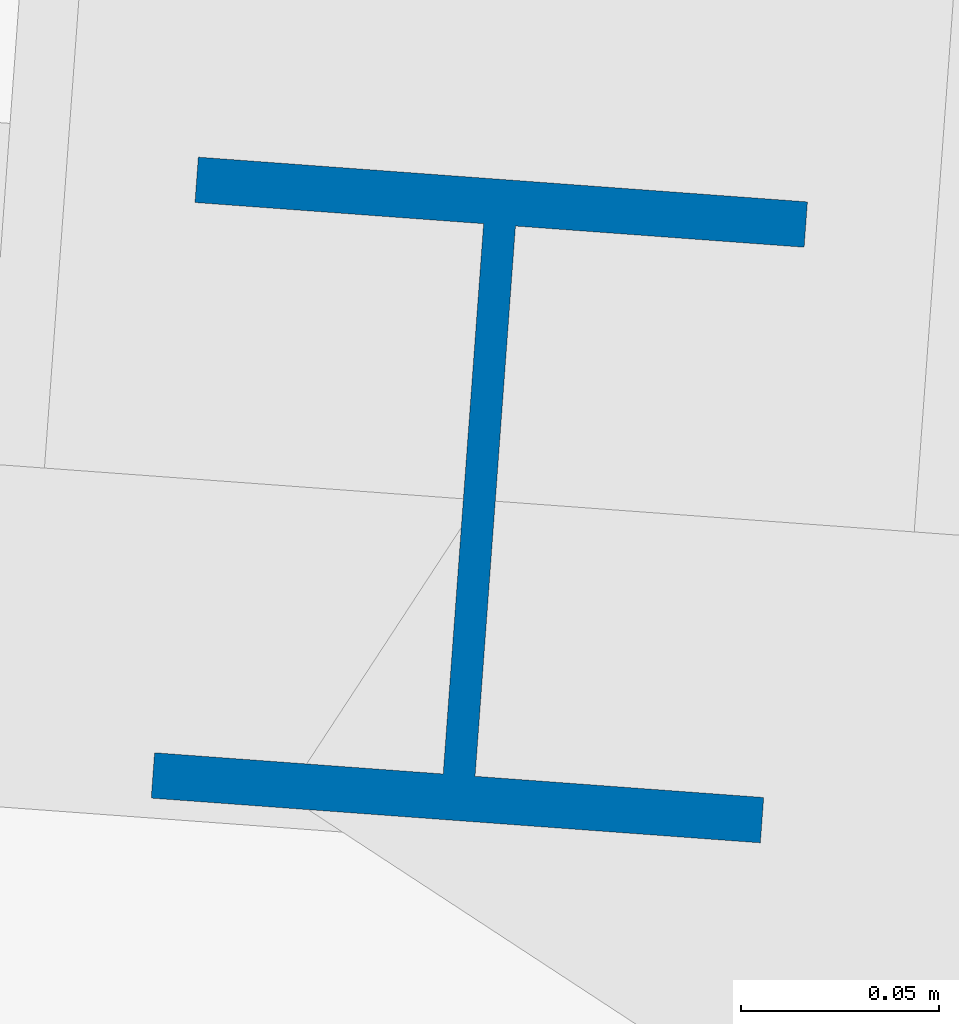
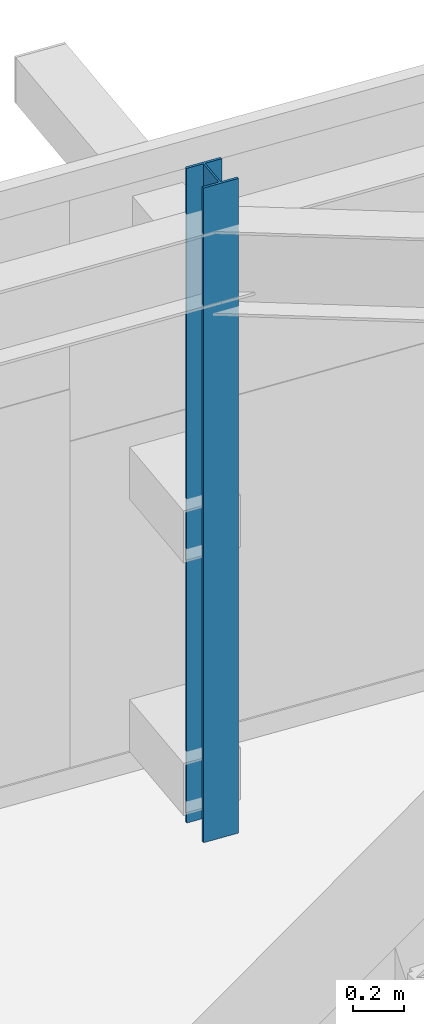
# One storey, part 8 of 34: 1 column.
"""IFC4 building model written with IfcOpenShell, lengths in metres."""

import ifcopenshell
import ifcopenshell.guid

model = None  # the IFC model being written
_history = None  # IfcOwnerHistory: only IFC2X3 demands one
_inside = {}  # id of a spatial element -> (the spatial element, [elements in it])
_under = {}  # id of a project, library or spatial element -> (it, [spatial elements below it])
_declared = {}  # id of a project -> (the project, [libraries it declares])
_typed = {}  # id of a type object -> (the type object, [elements of that type])
_made_of = {}  # id of a material, layer set ... -> (it, [elements and type objects made of it])


def new_model(schema):
    """Start an empty IFC model of exactly this schema.

    Asked for "IFC4X3", IfcOpenShell would pick the latest addendum, in which some entities
    have other attributes; the version numbers below select the first issue.
    IFC2X3 requires an IfcOwnerHistory on every rooted entity: one is made here for all.
    """
    global model, _history
    if schema == "IFC4X3":
        model = ifcopenshell.file(schema_version=(4, 3, 0, 0))
    else:
        model = ifcopenshell.file(schema=schema)
    _inside.clear()
    _under.clear()
    _declared.clear()
    _typed.clear()
    _made_of.clear()
    _history = None
    if model.schema == "IFC2X3":
        org = make("IfcOrganization", Name="unknown")
        user = make(
            "IfcPersonAndOrganization",
            ThePerson=make("IfcPerson", FamilyName="unknown"),
            TheOrganization=org,
        )
        app = make(
            "IfcApplication",
            ApplicationDeveloper=org,
            Version="unknown",
            ApplicationFullName="unknown",
            ApplicationIdentifier="unknown",
        )
        _history = make(
            "IfcOwnerHistory",
            OwningUser=user,
            OwningApplication=app,
            ChangeAction="ADDED",
            CreationDate=0,
        )
    return model


def make(cls, **values):
    """One entity of the class cls with the attributes given. An attribute that is None is left unset."""
    return model.create_entity(
        cls, **{name: value for name, value in values.items() if value is not None}
    )


def rooted(cls, **values):
    """An entity with a GlobalId (a new one), such as an element, a storey or a relation."""
    return make(cls, GlobalId=ifcopenshell.guid.new(), OwnerHistory=_history, **values)


def si_unit(unit_type, name, prefix=None):
    """IfcSIUnit, for example si_unit("LENGTHUNIT", "METRE", prefix="MILLI")."""
    return make("IfcSIUnit", UnitType=unit_type, Prefix=prefix, Name=name)


def assignment(units):
    """IfcUnitAssignment: the units of a project."""
    return None if units is None else make("IfcUnitAssignment", Units=units)


def point(xyz):
    """IfcCartesianPoint."""
    return None if xyz is None else make("IfcCartesianPoint", Coordinates=xyz)


def direction(xyz):
    """IfcDirection."""
    return None if xyz is None else make("IfcDirection", DirectionRatios=xyz)


def frame(location, z_axis=None, x_axis=None):
    """IfcAxis2Placement3D, a coordinate frame: its origin and axes. An axis left out is left unset."""
    return make(
        "IfcAxis2Placement3D",
        Location=point(location),
        Axis=direction(z_axis),
        RefDirection=direction(x_axis),
    )


def frame_2d(location, x_axis=None):
    """IfcAxis2Placement2D, a coordinate frame in the plane: its origin and x axis."""
    return make(
        "IfcAxis2Placement2D", Location=point(location), RefDirection=direction(x_axis)
    )


def origin():
    """The frame at (0, 0, 0) with its axes left unset."""
    return frame((0.0, 0.0, 0.0))


def origin_2d():
    """The frame at (0, 0) in the plane with its x axis left unset."""
    return frame_2d((0.0, 0.0))


def place(relative_to, where):
    """IfcLocalPlacement: puts the frame where relative to a parent placement (None: the world)."""
    return make(
        "IfcLocalPlacement", PlacementRelTo=relative_to, RelativePlacement=where
    )


def context(
    kind, dimensions, precision=None, world=None, true_north=None, identifier=None
):
    """IfcGeometricRepresentationContext, for example the 3D "Model" context."""
    return make(
        "IfcGeometricRepresentationContext",
        ContextIdentifier=identifier,
        ContextType=kind,
        CoordinateSpaceDimension=dimensions,
        Precision=precision,
        WorldCoordinateSystem=world,
        TrueNorth=true_north,
    )


def subcontext(parent, identifier, kind, view, scale=None):
    """IfcGeometricRepresentationSubContext, for example "Body" below "Model"."""
    return make(
        "IfcGeometricRepresentationSubContext",
        ContextIdentifier=identifier,
        ContextType=kind,
        ParentContext=parent,
        TargetScale=scale,
        TargetView=view,
    )


def project(units=None, contexts=None):
    """IfcProject with its units and contexts."""
    return rooted(
        "IfcProject",
        Name="project",
        RepresentationContexts=contexts,
        UnitsInContext=assignment(units),
    )


def spatial(cls, under=None, at=None, **own):
    """A site, building, storey or space (cls), placed at a placement, below another one or the project."""
    s = rooted(cls, ObjectPlacement=at, **own)
    if under is not None:
        _under.setdefault(under.id(), (under, []))[1].append(s)
    return s


def profile(cls, at=None, kind="AREA", **sizes):
    """A parametric profile (cls). Its sizes go by their IFC names, for example OverallWidth=200.0."""
    return make(cls, ProfileType=kind, Position=at, **sizes)


def i_section(**sizes):
    """IfcIShapeProfileDef."""
    return profile("IfcIShapeProfileDef", **sizes)


def extrude(swept, where, along, depth):
    """IfcExtrudedAreaSolid: the profile swept, set in the frame where, extruded along a direction by depth."""
    return make(
        "IfcExtrudedAreaSolid",
        SweptArea=swept,
        Position=where,
        ExtrudedDirection=direction(along),
        Depth=depth,
    )


def shape(context_of_items, identifier, shape_type, items):
    """IfcShapeRepresentation: the items that make up one representation, for example the "Body"."""
    return make(
        "IfcShapeRepresentation",
        ContextOfItems=context_of_items,
        RepresentationIdentifier=identifier,
        RepresentationType=shape_type,
        Items=items,
    )


def source(mapping_origin, context_of_items, identifier, shape_type, items):
    """IfcRepresentationMap: a shape defined once, which mapped items show again and again."""
    return make(
        "IfcRepresentationMap",
        MappingOrigin=mapping_origin,
        MappedRepresentation=shape(context_of_items, identifier, shape_type, items),
    )


def transform(
    local_origin,
    x_axis=None,
    y_axis=None,
    z_axis=None,
    scale=None,
    scale2=None,
    scale3=None,
    uniform=True,
):
    """IfcCartesianTransformationOperator3D, or its non-uniform kind. x_axis, y_axis, z_axis: its Axis1, 2, 3."""
    if uniform:
        return make(
            "IfcCartesianTransformationOperator3D",
            Axis1=direction(x_axis),
            Axis2=direction(y_axis),
            LocalOrigin=point(local_origin),
            Scale=scale,
            Axis3=direction(z_axis),
        )
    return make(
        "IfcCartesianTransformationOperator3DnonUniform",
        Axis1=direction(x_axis),
        Axis2=direction(y_axis),
        LocalOrigin=point(local_origin),
        Scale=scale,
        Axis3=direction(z_axis),
        Scale2=scale2,
        Scale3=scale3,
    )


def mapped(mapping_source, mapping_target):
    """IfcMappedItem: shows the shape of a source again, moved by a transform."""
    return make(
        "IfcMappedItem", MappingSource=mapping_source, MappingTarget=mapping_target
    )


def material(Name=None, Category=None):
    """IfcMaterial."""
    return make("IfcMaterial", Name=Name, Category=Category)


def material_profile(
    of_material, cross_section, Name=None, Category=None, Priority=None
):
    """IfcMaterialProfile: a cross section and its material."""
    return make(
        "IfcMaterialProfile",
        Name=Name,
        Material=of_material,
        Profile=cross_section,
        Priority=Priority,
        Category=Category,
    )


def profile_set(profiles, Name=None, composite=None):
    """IfcMaterialProfileSet."""
    return make(
        "IfcMaterialProfileSet",
        Name=Name,
        MaterialProfiles=profiles,
        CompositeProfile=composite,
    )


def made_of(thing, what):
    """Note that an element or type object is made of a material, layer set ...; save() writes the relation."""
    if what is not None:
        _made_of.setdefault(what.id(), (what, []))[1].append(thing)
    return thing


def type_object(cls, material=None, **own):
    """A type object (cls), such as IfcWallType, which elements share."""
    return made_of(rooted(cls, **own), material)


def element(
    cls,
    number,
    at=None,
    inside=None,
    cuts=None,
    type_object=None,
    material=None,
    context=None,
    identifier="Body",
    shape_type=None,
    held_by="IfcProductDefinitionShape",
    body=None,
    shapes=None,
    **own,
):
    """One element of the class cls, such as IfcWall. Its Tag is "e" and its number.

    at: its placement. inside: the storey or other place that contains it. cuts: it is an
    opening in that element (IfcRelVoidsElement). A single representation is given by context,
    identifier, shape_type and body (its items); several are given by shapes. held_by: the class
    of the entity that holds the representations. save() writes the other relations.
    """
    e = rooted(cls, Tag="e%d" % number, ObjectPlacement=at, **own)
    if body is not None:
        shapes = [shape(context, identifier, shape_type, body)]
    if shapes is not None:
        e.Representation = make(held_by, Representations=shapes)
    if inside is not None:
        _inside.setdefault(inside.id(), (inside, []))[1].append(e)
    if cuts is not None:
        rooted(
            "IfcRelVoidsElement", RelatingBuildingElement=cuts, RelatedOpeningElement=e
        )
    if type_object is not None:
        _typed.setdefault(type_object.id(), (type_object, []))[1].append(e)
    return made_of(e, material)


def aggregate(whole, parts):
    """IfcRelAggregates: a whole, such as a stair, and the parts it consists of."""
    return rooted("IfcRelAggregates", RelatingObject=whole, RelatedObjects=parts)


def save(model, path):
    """Write the relations noted so far, then the file.

    IfcRelAggregates (storeys below a building ...), IfcRelContainedInSpatialStructure (elements
    in a storey), IfcRelDefinesByType, IfcRelAssociatesMaterial and IfcRelDeclares: one each for
    every whole, place, type object, material and project.
    """
    for whole, parts in _under.values():
        aggregate(whole, parts)
    for where, things in _inside.values():
        rooted(
            "IfcRelContainedInSpatialStructure",
            RelatedElements=things,
            RelatingStructure=where,
        )
    for kind, things in _typed.values():
        rooted("IfcRelDefinesByType", RelatedObjects=things, RelatingType=kind)
    for what, things in _made_of.values():
        rooted("IfcRelAssociatesMaterial", RelatedObjects=things, RelatingMaterial=what)
    for by, libraries in _declared.values():
        rooted("IfcRelDeclares", RelatingContext=by, RelatedDefinitions=libraries)
    model.write(path)


model = new_model("IFC4")

# Units and contexts
model_context = context("Model", 3, precision=1e-05, world=origin(), true_north=direction((0.0, 1.0)))
body_context = subcontext(model_context, "Body", "Model", "MODEL_VIEW")
ifc_project = project(units=[si_unit("LENGTHUNIT", "METRE"), si_unit("AREAUNIT", "SQUARE_METRE"), si_unit("VOLUMEUNIT", "CUBIC_METRE"), si_unit("PLANEANGLEUNIT", "RADIAN"), si_unit("MASSUNIT", "GRAM", prefix="KILO")], contexts=[model_context])

# Site, building, storey
site_placement = place(None, origin())
site = spatial("IfcSite", under=ifc_project, at=site_placement, CompositionType="ELEMENT")
building_placement = place(site_placement, origin())
building = spatial("IfcBuilding", under=site, at=building_placement, Name="Taldren Reach Tower", CompositionType="ELEMENT")
storey_placement = place(building_placement, frame((0.0, 0.0, 242.89990234375)))
storey = spatial("IfcBuildingStorey", under=building, at=storey_placement, Name="L74", CompositionType="ELEMENT", Elevation=242.89990234375)

# Column
ifc_material = material(Name="Steel Gr 350 (350PLUS)", Category="steel")
ifc_material_profile = material_profile(ifc_material, i_section(OverallWidth=0.154052734375, OverallDepth=0.162109375, WebThickness=0.008056640625, FlangeThickness=0.011474609375, at=origin_2d()), Name="150UC37.2")
ifc_profile_set = profile_set([ifc_material_profile], Name="Steel Gr 350 (350PLUS)")
column_type = type_object("IfcColumnType", Name="COL-UC150", PredefinedType="COLUMN", material=ifc_profile_set)
shared_shape = source(origin(), body_context, "Body", "SweptSolid", [
    extrude(i_section(OverallWidth=0.154052734375, OverallDepth=0.162109375, WebThickness=0.008056640625, FlangeThickness=0.011474609375, at=origin_2d()), origin(), (0.0, 0.0, 1.0), 3.150146484375),
])
column_placement = place(storey_placement, frame((47.199462890625, 34.487548828125, 0.0), z_axis=(0.0, 0.0, 1.0), x_axis=(0.997314477224, -0.073238197128, 0.0)))
element("IfcColumn", 1, at=column_placement, inside=storey, type_object=column_type, Name="Block B5 perimeter column N5 L74", PredefinedType="COLUMN", context=body_context, shape_type="MappedRepresentation", body=[
    mapped(shared_shape, transform((0.0, 0.0, 0.0), scale=1.0)),
])

save(model, "model.ifc")
